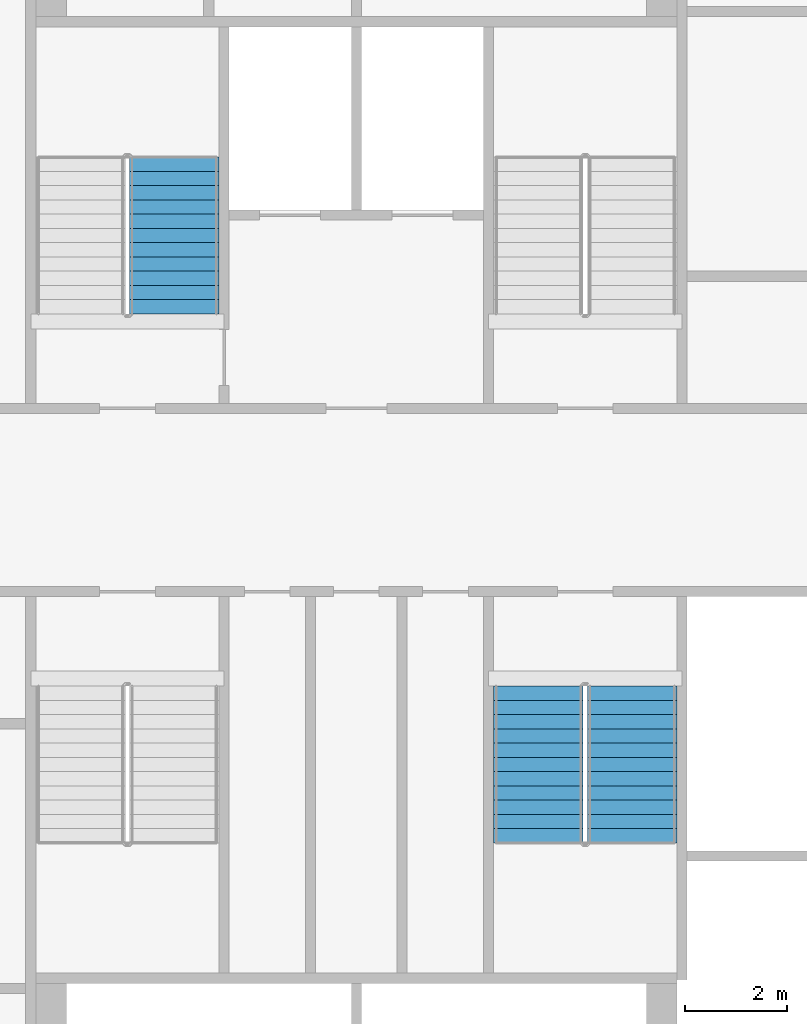
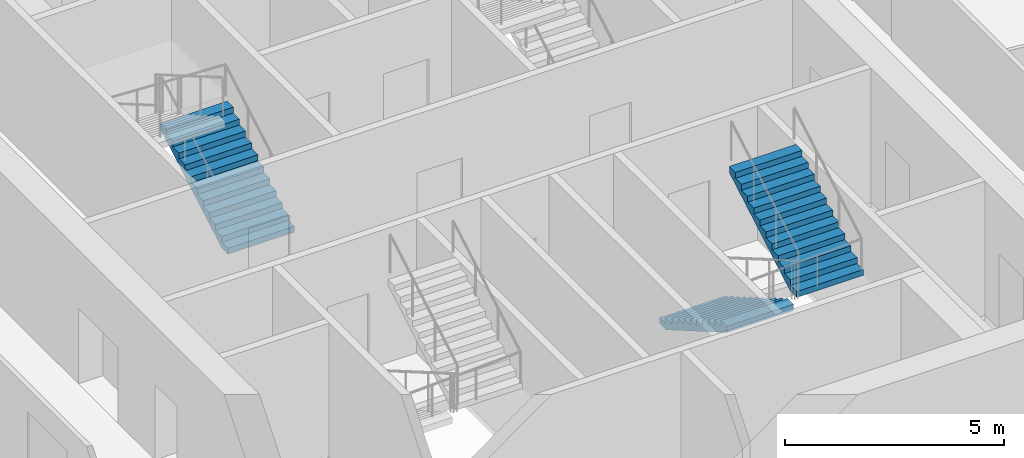
# One storey, part 18 of 24: 3 stair flights, 2 elements without a shape of their own.
"""IFC4 building model written with IfcOpenShell, lengths in metres."""

from ifc_helpers import new_model, si_unit, direction, frame, origin, place, context, subcontext, project, spatial, faceted_brep, material, type_object, element, aggregate, save


model = new_model("IFC4")

# Units and contexts
model_context = context("Model", 3, precision=1e-05, world=origin(), true_north=direction((0.0, 1.0)))
body_context = subcontext(model_context, "Body", "Model", "MODEL_VIEW")
ifc_project = project(units=[si_unit("LENGTHUNIT", "METRE"), si_unit("AREAUNIT", "SQUARE_METRE"), si_unit("VOLUMEUNIT", "CUBIC_METRE"), si_unit("PLANEANGLEUNIT", "RADIAN"), si_unit("MASSUNIT", "GRAM", prefix="KILO")], contexts=[model_context])

# Site, building, storey
site_placement = place(None, origin())
site = spatial("IfcSite", under=ifc_project, at=site_placement, CompositionType="ELEMENT")
building_placement = place(site_placement, origin())
building = spatial("IfcBuilding", under=site, at=building_placement, Name="Tarsis Ring Headquarters", CompositionType="ELEMENT")
storey_placement = place(building_placement, frame((0.0, 0.0, 163.199951171875)))
storey = spatial("IfcBuildingStorey", under=building, at=storey_placement, Name="L37", CompositionType="ELEMENT", Elevation=163.199951171875)

# Stair, stair flight
ifc_material_1 = material(Name="Core stair 1760")
stair_type = type_object("IfcStairType", Name="Core stair 1760", PredefinedType="HALF_TURN_STAIR", material=ifc_material_1)
stair_1_placement = place(storey_placement, origin())
stair_1 = element("IfcStair", 1, at=stair_1_placement, inside=storey, type_object=stair_type, Name="L37 Firefighting stair", PredefinedType="HALF_TURN_STAIR")
ifc_material_2 = material(Name="Concrete C40/50", Category="concrete")
stair_flight_type = type_object("IfcStairFlightType", Name="Core stair flight 1760", PredefinedType="STRAIGHT", material=ifc_material_2)
stair_flight_1_placement = place(storey_placement, frame((-3.580078125, 3.659912109375, 0.0), z_axis=(0.0, 0.0, 1.0), x_axis=(0.0, 1.0, 0.0)))
stair_flight_1 = element("IfcStairFlight", 2, at=stair_flight_1_placement, type_object=stair_flight_type, Name="Stair ST1 flight 1", NumberOfRisers=12, NumberOfTreads=11, PredefinedType="STRAIGHT", RiserHeight=0.1625, TreadLength=0.28, context=body_context, shape_type="Brep", body=[
    faceted_brep([(0.0, 0.8798828125, 0.0), (0.0, 0.8798828125, 0.16259765625), (0.280029296875, 0.8798828125, 0.16259765625), (0.280029296875, 0.8798828125, 0.324951171875), (0.56005859375, 0.8798828125, 0.324951171875), (0.56005859375, 0.8798828125, 0.487548828125), (0.840087890625, 0.8798828125, 0.487548828125), (0.840087890625, 0.8798828125, 0.64990234375), (1.1201171875, 0.8798828125, 0.64990234375), (1.1201171875, 0.8798828125, 0.8125), (1.39990234375, 0.8798828125, 0.8125), (1.39990234375, 0.8798828125, 0.97509765625), (1.679931640625, 0.8798828125, 0.97509765625), (1.679931640625, 0.8798828125, 1.137451171875), (1.9599609375, 0.8798828125, 1.137451171875), (1.9599609375, 0.8798828125, 1.300048828125), (2.239990234375, 0.8798828125, 1.300048828125), (2.239990234375, 0.8798828125, 1.46240234375), (2.52001953125, 0.8798828125, 1.46240234375), (2.52001953125, 0.8798828125, 1.625), (2.800048828125, 0.8798828125, 1.625), (2.800048828125, 0.8798828125, 1.78759765625), (3.080078125, 0.8798828125, 1.78759765625), (3.080078125, 0.8798828125, 1.6142578125), (0.298583984375, 0.8798828125, 0.0), (0.298583984375, -0.8798828125, 0.0), (3.080078125, -0.8798828125, 1.6142578125), (3.080078125, -0.8798828125, 1.78759765625), (2.800048828125, -0.8798828125, 1.78759765625), (2.800048828125, -0.8798828125, 1.625), (2.52001953125, -0.8798828125, 1.625), (2.52001953125, -0.8798828125, 1.46240234375), (2.239990234375, -0.8798828125, 1.46240234375), (2.239990234375, -0.8798828125, 1.300048828125), (1.9599609375, -0.8798828125, 1.300048828125), (1.9599609375, -0.8798828125, 1.137451171875), (1.679931640625, -0.8798828125, 1.137451171875), (1.679931640625, -0.8798828125, 0.97509765625), (1.39990234375, -0.8798828125, 0.97509765625), (1.39990234375, -0.8798828125, 0.8125), (1.1201171875, -0.8798828125, 0.8125), (1.1201171875, -0.8798828125, 0.64990234375), (0.840087890625, -0.8798828125, 0.64990234375), (0.840087890625, -0.8798828125, 0.487548828125), (0.56005859375, -0.8798828125, 0.487548828125), (0.56005859375, -0.8798828125, 0.324951171875), (0.280029296875, -0.8798828125, 0.324951171875), (0.280029296875, -0.8798828125, 0.16259765625), (0.0, -0.8798828125, 0.16259765625), (0.0, -0.8798828125, 0.0), (0.0, -0.43994140625, 0.16259765625), (0.0, -0.43994140625, 0.0), (0.0, 0.0, 0.16259765625), (0.0, 0.0, 0.0), (0.0, 0.43994140625, 0.16259765625), (0.0, 0.43994140625, 0.0), (0.280029296875, -0.43994140625, 0.16259765625), (0.280029296875, 0.0, 0.16259765625), (0.280029296875, 0.43994140625, 0.16259765625), (0.280029296875, -0.43994140625, 0.324951171875), (0.280029296875, 0.0, 0.324951171875), (0.280029296875, 0.43994140625, 0.324951171875), (0.56005859375, -0.43994140625, 0.324951171875), (0.56005859375, 0.0, 0.324951171875), (0.56005859375, 0.43994140625, 0.324951171875), (0.56005859375, -0.43994140625, 0.487548828125), (0.56005859375, 0.0, 0.487548828125), (0.56005859375, 0.43994140625, 0.487548828125), (0.840087890625, -0.43994140625, 0.487548828125), (0.840087890625, 0.0, 0.487548828125), (0.840087890625, 0.43994140625, 0.487548828125), (0.840087890625, -0.43994140625, 0.64990234375), (0.840087890625, 0.0, 0.64990234375), (0.840087890625, 0.43994140625, 0.64990234375), (1.1201171875, -0.43994140625, 0.64990234375), (1.1201171875, 0.0, 0.64990234375), (1.1201171875, 0.43994140625, 0.64990234375), (1.1201171875, -0.43994140625, 0.8125), (1.1201171875, 0.0, 0.8125), (1.1201171875, 0.43994140625, 0.8125), (1.39990234375, -0.43994140625, 0.8125), (1.39990234375, 0.0, 0.8125), (1.39990234375, 0.43994140625, 0.8125), (1.39990234375, -0.43994140625, 0.97509765625), (1.39990234375, 0.0, 0.97509765625), (1.39990234375, 0.43994140625, 0.97509765625), (1.679931640625, -0.43994140625, 0.97509765625), (1.679931640625, 0.0, 0.97509765625), (1.679931640625, 0.43994140625, 0.97509765625), (1.679931640625, -0.43994140625, 1.137451171875), (1.679931640625, 0.0, 1.137451171875), (1.679931640625, 0.43994140625, 1.137451171875), (1.9599609375, -0.43994140625, 1.137451171875), (1.9599609375, 0.0, 1.137451171875), (1.9599609375, 0.43994140625, 1.137451171875), (1.9599609375, -0.43994140625, 1.300048828125), (1.9599609375, 0.0, 1.300048828125), (1.9599609375, 0.43994140625, 1.300048828125), (2.239990234375, -0.43994140625, 1.300048828125), (2.239990234375, 0.0, 1.300048828125), (2.239990234375, 0.43994140625, 1.300048828125), (2.239990234375, -0.43994140625, 1.46240234375), (2.239990234375, 0.0, 1.46240234375), (2.239990234375, 0.43994140625, 1.46240234375), (2.52001953125, -0.43994140625, 1.46240234375), (2.52001953125, 0.0, 1.46240234375), (2.52001953125, 0.43994140625, 1.46240234375), (2.52001953125, -0.43994140625, 1.625), (2.52001953125, 0.0, 1.625), (2.52001953125, 0.43994140625, 1.625), (2.800048828125, -0.43994140625, 1.625), (2.800048828125, 0.0, 1.625), (2.800048828125, 0.43994140625, 1.625), (2.800048828125, -0.43994140625, 1.78759765625), (2.800048828125, 0.0, 1.78759765625), (2.800048828125, 0.43994140625, 1.78759765625), (3.080078125, -0.43994140625, 1.78759765625), (3.080078125, 0.0, 1.78759765625), (3.080078125, 0.43994140625, 1.78759765625), (3.080078125, -0.43994140625, 1.6142578125), (3.080078125, 0.0, 1.6142578125), (3.080078125, 0.43994140625, 1.6142578125), (0.298583984375, -0.43994140625, 0.0), (0.298583984375, 0.0, 0.0), (0.298583984375, 0.43994140625, 0.0)], [[[0, 1, 2, 3, 4, 5, 6, 7, 8, 9, 10, 11, 12, 13, 14, 15, 16, 17, 18, 19, 20, 21, 22, 23, 24]], [[25, 26, 27, 28, 29, 30, 31, 32, 33, 34, 35, 36, 37, 38, 39, 40, 41, 42, 43, 44, 45, 46, 47, 48, 49]], [[49, 48, 50, 51]], [[51, 50, 52, 53]], [[53, 52, 54, 55]], [[55, 54, 1, 0]], [[48, 47, 56, 50]], [[50, 56, 57, 52]], [[52, 57, 58, 54]], [[54, 58, 2, 1]], [[47, 46, 59, 56]], [[56, 59, 60, 57]], [[57, 60, 61, 58]], [[58, 61, 3, 2]], [[46, 45, 62, 59]], [[59, 62, 63, 60]], [[60, 63, 64, 61]], [[61, 64, 4, 3]], [[45, 44, 65, 62]], [[62, 65, 66, 63]], [[63, 66, 67, 64]], [[64, 67, 5, 4]], [[44, 43, 68, 65]], [[65, 68, 69, 66]], [[66, 69, 70, 67]], [[67, 70, 6, 5]], [[43, 42, 71, 68]], [[68, 71, 72, 69]], [[69, 72, 73, 70]], [[70, 73, 7, 6]], [[42, 41, 74, 71]], [[71, 74, 75, 72]], [[72, 75, 76, 73]], [[73, 76, 8, 7]], [[41, 40, 77, 74]], [[74, 77, 78, 75]], [[75, 78, 79, 76]], [[76, 79, 9, 8]], [[40, 39, 80, 77]], [[77, 80, 81, 78]], [[78, 81, 82, 79]], [[79, 82, 10, 9]], [[39, 38, 83, 80]], [[80, 83, 84, 81]], [[81, 84, 85, 82]], [[82, 85, 11, 10]], [[38, 37, 86, 83]], [[83, 86, 87, 84]], [[84, 87, 88, 85]], [[85, 88, 12, 11]], [[37, 36, 89, 86]], [[86, 89, 90, 87]], [[87, 90, 91, 88]], [[88, 91, 13, 12]], [[36, 35, 92, 89]], [[89, 92, 93, 90]], [[90, 93, 94, 91]], [[91, 94, 14, 13]], [[35, 34, 95, 92]], [[92, 95, 96, 93]], [[93, 96, 97, 94]], [[94, 97, 15, 14]], [[34, 33, 98, 95]], [[95, 98, 99, 96]], [[96, 99, 100, 97]], [[97, 100, 16, 15]], [[33, 32, 101, 98]], [[98, 101, 102, 99]], [[99, 102, 103, 100]], [[100, 103, 17, 16]], [[32, 31, 104, 101]], [[101, 104, 105, 102]], [[102, 105, 106, 103]], [[103, 106, 18, 17]], [[31, 30, 107, 104]], [[104, 107, 108, 105]], [[105, 108, 109, 106]], [[106, 109, 19, 18]], [[30, 29, 110, 107]], [[107, 110, 111, 108]], [[108, 111, 112, 109]], [[109, 112, 20, 19]], [[29, 28, 113, 110]], [[110, 113, 114, 111]], [[111, 114, 115, 112]], [[112, 115, 21, 20]], [[28, 27, 116, 113]], [[113, 116, 117, 114]], [[114, 117, 118, 115]], [[115, 118, 22, 21]], [[27, 26, 119, 116]], [[116, 119, 120, 117]], [[117, 120, 121, 118]], [[118, 121, 23, 22]], [[26, 25, 122, 119]], [[119, 122, 123, 120]], [[120, 123, 124, 121]], [[121, 124, 24, 23]], [[25, 49, 51, 122]], [[122, 51, 53, 123]], [[123, 53, 55, 124]], [[124, 55, 0, 24]]]),
])
aggregate(stair_1, [stair_flight_1])

# Stair, stair flights
stair_2_placement = place(storey_placement, origin())
stair_2 = element("IfcStair", 3, at=stair_2_placement, inside=storey, type_object=stair_type, Name="L37 Exit stair D", PredefinedType="HALF_TURN_STAIR")
stair_flight_2_placement = place(storey_placement, frame((3.580078125, -3.659912109375, 0.0), z_axis=(0.0, 0.0, 1.0), x_axis=(0.0, -1.0, 0.0)))
stair_flight_2 = element("IfcStairFlight", 4, at=stair_flight_2_placement, type_object=stair_flight_type, Name="Stair ST4 flight 1", NumberOfRisers=12, NumberOfTreads=11, PredefinedType="STRAIGHT", RiserHeight=0.1625, TreadLength=0.28, context=body_context, shape_type="Brep", body=[
    faceted_brep([(0.0, 0.8798828125, 0.0), (0.0, 0.8798828125, 0.16259765625), (0.280029296875, 0.8798828125, 0.16259765625), (0.280029296875, 0.8798828125, 0.324951171875), (0.56005859375, 0.8798828125, 0.324951171875), (0.56005859375, 0.8798828125, 0.487548828125), (0.840087890625, 0.8798828125, 0.487548828125), (0.840087890625, 0.8798828125, 0.64990234375), (1.1201171875, 0.8798828125, 0.64990234375), (1.1201171875, 0.8798828125, 0.8125), (1.39990234375, 0.8798828125, 0.8125), (1.39990234375, 0.8798828125, 0.97509765625), (1.679931640625, 0.8798828125, 0.97509765625), (1.679931640625, 0.8798828125, 1.137451171875), (1.9599609375, 0.8798828125, 1.137451171875), (1.9599609375, 0.8798828125, 1.300048828125), (2.239990234375, 0.8798828125, 1.300048828125), (2.239990234375, 0.8798828125, 1.46240234375), (2.52001953125, 0.8798828125, 1.46240234375), (2.52001953125, 0.8798828125, 1.625), (2.800048828125, 0.8798828125, 1.625), (2.800048828125, 0.8798828125, 1.78759765625), (3.080078125, 0.8798828125, 1.78759765625), (3.080078125, 0.8798828125, 1.6142578125), (0.298583984375, 0.8798828125, 0.0), (0.298583984375, -0.8798828125, 0.0), (3.080078125, -0.8798828125, 1.6142578125), (3.080078125, -0.8798828125, 1.78759765625), (2.800048828125, -0.8798828125, 1.78759765625), (2.800048828125, -0.8798828125, 1.625), (2.52001953125, -0.8798828125, 1.625), (2.52001953125, -0.8798828125, 1.46240234375), (2.239990234375, -0.8798828125, 1.46240234375), (2.239990234375, -0.8798828125, 1.300048828125), (1.9599609375, -0.8798828125, 1.300048828125), (1.9599609375, -0.8798828125, 1.137451171875), (1.679931640625, -0.8798828125, 1.137451171875), (1.679931640625, -0.8798828125, 0.97509765625), (1.39990234375, -0.8798828125, 0.97509765625), (1.39990234375, -0.8798828125, 0.8125), (1.1201171875, -0.8798828125, 0.8125), (1.1201171875, -0.8798828125, 0.64990234375), (0.840087890625, -0.8798828125, 0.64990234375), (0.840087890625, -0.8798828125, 0.487548828125), (0.56005859375, -0.8798828125, 0.487548828125), (0.56005859375, -0.8798828125, 0.324951171875), (0.280029296875, -0.8798828125, 0.324951171875), (0.280029296875, -0.8798828125, 0.16259765625), (0.0, -0.8798828125, 0.16259765625), (0.0, -0.8798828125, 0.0), (0.0, -0.43994140625, 0.16259765625), (0.0, -0.43994140625, 0.0), (0.0, 0.0, 0.16259765625), (0.0, 0.0, 0.0), (0.0, 0.43994140625, 0.16259765625), (0.0, 0.43994140625, 0.0), (0.280029296875, -0.43994140625, 0.16259765625), (0.280029296875, 0.0, 0.16259765625), (0.280029296875, 0.43994140625, 0.16259765625), (0.280029296875, -0.43994140625, 0.324951171875), (0.280029296875, 0.0, 0.324951171875), (0.280029296875, 0.43994140625, 0.324951171875), (0.56005859375, -0.43994140625, 0.324951171875), (0.56005859375, 0.0, 0.324951171875), (0.56005859375, 0.43994140625, 0.324951171875), (0.56005859375, -0.43994140625, 0.487548828125), (0.56005859375, 0.0, 0.487548828125), (0.56005859375, 0.43994140625, 0.487548828125), (0.840087890625, -0.43994140625, 0.487548828125), (0.840087890625, 0.0, 0.487548828125), (0.840087890625, 0.43994140625, 0.487548828125), (0.840087890625, -0.43994140625, 0.64990234375), (0.840087890625, 0.0, 0.64990234375), (0.840087890625, 0.43994140625, 0.64990234375), (1.1201171875, -0.43994140625, 0.64990234375), (1.1201171875, 0.0, 0.64990234375), (1.1201171875, 0.43994140625, 0.64990234375), (1.1201171875, -0.43994140625, 0.8125), (1.1201171875, 0.0, 0.8125), (1.1201171875, 0.43994140625, 0.8125), (1.39990234375, -0.43994140625, 0.8125), (1.39990234375, 0.0, 0.8125), (1.39990234375, 0.43994140625, 0.8125), (1.39990234375, -0.43994140625, 0.97509765625), (1.39990234375, 0.0, 0.97509765625), (1.39990234375, 0.43994140625, 0.97509765625), (1.679931640625, -0.43994140625, 0.97509765625), (1.679931640625, 0.0, 0.97509765625), (1.679931640625, 0.43994140625, 0.97509765625), (1.679931640625, -0.43994140625, 1.137451171875), (1.679931640625, 0.0, 1.137451171875), (1.679931640625, 0.43994140625, 1.137451171875), (1.9599609375, -0.43994140625, 1.137451171875), (1.9599609375, 0.0, 1.137451171875), (1.9599609375, 0.43994140625, 1.137451171875), (1.9599609375, -0.43994140625, 1.300048828125), (1.9599609375, 0.0, 1.300048828125), (1.9599609375, 0.43994140625, 1.300048828125), (2.239990234375, -0.43994140625, 1.300048828125), (2.239990234375, 0.0, 1.300048828125), (2.239990234375, 0.43994140625, 1.300048828125), (2.239990234375, -0.43994140625, 1.46240234375), (2.239990234375, 0.0, 1.46240234375), (2.239990234375, 0.43994140625, 1.46240234375), (2.52001953125, -0.43994140625, 1.46240234375), (2.52001953125, 0.0, 1.46240234375), (2.52001953125, 0.43994140625, 1.46240234375), (2.52001953125, -0.43994140625, 1.625), (2.52001953125, 0.0, 1.625), (2.52001953125, 0.43994140625, 1.625), (2.800048828125, -0.43994140625, 1.625), (2.800048828125, 0.0, 1.625), (2.800048828125, 0.43994140625, 1.625), (2.800048828125, -0.43994140625, 1.78759765625), (2.800048828125, 0.0, 1.78759765625), (2.800048828125, 0.43994140625, 1.78759765625), (3.080078125, -0.43994140625, 1.78759765625), (3.080078125, 0.0, 1.78759765625), (3.080078125, 0.43994140625, 1.78759765625), (3.080078125, -0.43994140625, 1.6142578125), (3.080078125, 0.0, 1.6142578125), (3.080078125, 0.43994140625, 1.6142578125), (0.298583984375, -0.43994140625, 0.0), (0.298583984375, 0.0, 0.0), (0.298583984375, 0.43994140625, 0.0)], [[[0, 1, 2, 3, 4, 5, 6, 7, 8, 9, 10, 11, 12, 13, 14, 15, 16, 17, 18, 19, 20, 21, 22, 23, 24]], [[25, 26, 27, 28, 29, 30, 31, 32, 33, 34, 35, 36, 37, 38, 39, 40, 41, 42, 43, 44, 45, 46, 47, 48, 49]], [[49, 48, 50, 51]], [[51, 50, 52, 53]], [[53, 52, 54, 55]], [[55, 54, 1, 0]], [[48, 47, 56, 50]], [[50, 56, 57, 52]], [[52, 57, 58, 54]], [[54, 58, 2, 1]], [[47, 46, 59, 56]], [[56, 59, 60, 57]], [[57, 60, 61, 58]], [[58, 61, 3, 2]], [[46, 45, 62, 59]], [[59, 62, 63, 60]], [[60, 63, 64, 61]], [[61, 64, 4, 3]], [[45, 44, 65, 62]], [[62, 65, 66, 63]], [[63, 66, 67, 64]], [[64, 67, 5, 4]], [[44, 43, 68, 65]], [[65, 68, 69, 66]], [[66, 69, 70, 67]], [[67, 70, 6, 5]], [[43, 42, 71, 68]], [[68, 71, 72, 69]], [[69, 72, 73, 70]], [[70, 73, 7, 6]], [[42, 41, 74, 71]], [[71, 74, 75, 72]], [[72, 75, 76, 73]], [[73, 76, 8, 7]], [[41, 40, 77, 74]], [[74, 77, 78, 75]], [[75, 78, 79, 76]], [[76, 79, 9, 8]], [[40, 39, 80, 77]], [[77, 80, 81, 78]], [[78, 81, 82, 79]], [[79, 82, 10, 9]], [[39, 38, 83, 80]], [[80, 83, 84, 81]], [[81, 84, 85, 82]], [[82, 85, 11, 10]], [[38, 37, 86, 83]], [[83, 86, 87, 84]], [[84, 87, 88, 85]], [[85, 88, 12, 11]], [[37, 36, 89, 86]], [[86, 89, 90, 87]], [[87, 90, 91, 88]], [[88, 91, 13, 12]], [[36, 35, 92, 89]], [[89, 92, 93, 90]], [[90, 93, 94, 91]], [[91, 94, 14, 13]], [[35, 34, 95, 92]], [[92, 95, 96, 93]], [[93, 96, 97, 94]], [[94, 97, 15, 14]], [[34, 33, 98, 95]], [[95, 98, 99, 96]], [[96, 99, 100, 97]], [[97, 100, 16, 15]], [[33, 32, 101, 98]], [[98, 101, 102, 99]], [[99, 102, 103, 100]], [[100, 103, 17, 16]], [[32, 31, 104, 101]], [[101, 104, 105, 102]], [[102, 105, 106, 103]], [[103, 106, 18, 17]], [[31, 30, 107, 104]], [[104, 107, 108, 105]], [[105, 108, 109, 106]], [[106, 109, 19, 18]], [[30, 29, 110, 107]], [[107, 110, 111, 108]], [[108, 111, 112, 109]], [[109, 112, 20, 19]], [[29, 28, 113, 110]], [[110, 113, 114, 111]], [[111, 114, 115, 112]], [[112, 115, 21, 20]], [[28, 27, 116, 113]], [[113, 116, 117, 114]], [[114, 117, 118, 115]], [[115, 118, 22, 21]], [[27, 26, 119, 116]], [[116, 119, 120, 117]], [[117, 120, 121, 118]], [[118, 121, 23, 22]], [[26, 25, 122, 119]], [[119, 122, 123, 120]], [[120, 123, 124, 121]], [[121, 124, 24, 23]], [[25, 49, 51, 122]], [[122, 51, 53, 123]], [[123, 53, 55, 124]], [[124, 55, 0, 24]]]),
])
stair_flight_3_placement = place(storey_placement, frame((5.419921875, -6.739990234375, 1.949951171875), z_axis=(0.0, 0.0, 1.0), x_axis=(0.0, 1.0, 0.0)))
stair_flight_3 = element("IfcStairFlight", 5, at=stair_flight_3_placement, type_object=stair_flight_type, Name="Stair ST4 flight 2", NumberOfRisers=12, NumberOfTreads=11, PredefinedType="STRAIGHT", RiserHeight=0.1625, TreadLength=0.28, context=body_context, shape_type="Brep", body=[
    faceted_brep([(0.0, 0.8798828125, 0.0), (0.0, 0.8798828125, 0.16259765625), (0.280029296875, 0.8798828125, 0.16259765625), (0.280029296875, 0.8798828125, 0.324951171875), (0.56005859375, 0.8798828125, 0.324951171875), (0.56005859375, 0.8798828125, 0.487548828125), (0.840087890625, 0.8798828125, 0.487548828125), (0.840087890625, 0.8798828125, 0.64990234375), (1.1201171875, 0.8798828125, 0.64990234375), (1.1201171875, 0.8798828125, 0.8125), (1.39990234375, 0.8798828125, 0.8125), (1.39990234375, 0.8798828125, 0.97509765625), (1.679931640625, 0.8798828125, 0.97509765625), (1.679931640625, 0.8798828125, 1.137451171875), (1.9599609375, 0.8798828125, 1.137451171875), (1.9599609375, 0.8798828125, 1.300048828125), (2.239990234375, 0.8798828125, 1.300048828125), (2.239990234375, 0.8798828125, 1.46240234375), (2.52001953125, 0.8798828125, 1.46240234375), (2.52001953125, 0.8798828125, 1.625), (2.800048828125, 0.8798828125, 1.625), (2.800048828125, 0.8798828125, 1.78759765625), (3.080078125, 0.8798828125, 1.78759765625), (3.080078125, 0.8798828125, 1.6142578125), (0.298583984375, 0.8798828125, 0.0), (0.298583984375, -0.8798828125, 0.0), (3.080078125, -0.8798828125, 1.6142578125), (3.080078125, -0.8798828125, 1.78759765625), (2.800048828125, -0.8798828125, 1.78759765625), (2.800048828125, -0.8798828125, 1.625), (2.52001953125, -0.8798828125, 1.625), (2.52001953125, -0.8798828125, 1.46240234375), (2.239990234375, -0.8798828125, 1.46240234375), (2.239990234375, -0.8798828125, 1.300048828125), (1.9599609375, -0.8798828125, 1.300048828125), (1.9599609375, -0.8798828125, 1.137451171875), (1.679931640625, -0.8798828125, 1.137451171875), (1.679931640625, -0.8798828125, 0.97509765625), (1.39990234375, -0.8798828125, 0.97509765625), (1.39990234375, -0.8798828125, 0.8125), (1.1201171875, -0.8798828125, 0.8125), (1.1201171875, -0.8798828125, 0.64990234375), (0.840087890625, -0.8798828125, 0.64990234375), (0.840087890625, -0.8798828125, 0.487548828125), (0.56005859375, -0.8798828125, 0.487548828125), (0.56005859375, -0.8798828125, 0.324951171875), (0.280029296875, -0.8798828125, 0.324951171875), (0.280029296875, -0.8798828125, 0.16259765625), (0.0, -0.8798828125, 0.16259765625), (0.0, -0.8798828125, 0.0), (0.0, -0.43994140625, 0.16259765625), (0.0, -0.43994140625, 0.0), (0.0, 0.0, 0.16259765625), (0.0, 0.0, 0.0), (0.0, 0.43994140625, 0.16259765625), (0.0, 0.43994140625, 0.0), (0.280029296875, -0.43994140625, 0.16259765625), (0.280029296875, 0.0, 0.16259765625), (0.280029296875, 0.43994140625, 0.16259765625), (0.280029296875, -0.43994140625, 0.324951171875), (0.280029296875, 0.0, 0.324951171875), (0.280029296875, 0.43994140625, 0.324951171875), (0.56005859375, -0.43994140625, 0.324951171875), (0.56005859375, 0.0, 0.324951171875), (0.56005859375, 0.43994140625, 0.324951171875), (0.56005859375, -0.43994140625, 0.487548828125), (0.56005859375, 0.0, 0.487548828125), (0.56005859375, 0.43994140625, 0.487548828125), (0.840087890625, -0.43994140625, 0.487548828125), (0.840087890625, 0.0, 0.487548828125), (0.840087890625, 0.43994140625, 0.487548828125), (0.840087890625, -0.43994140625, 0.64990234375), (0.840087890625, 0.0, 0.64990234375), (0.840087890625, 0.43994140625, 0.64990234375), (1.1201171875, -0.43994140625, 0.64990234375), (1.1201171875, 0.0, 0.64990234375), (1.1201171875, 0.43994140625, 0.64990234375), (1.1201171875, -0.43994140625, 0.8125), (1.1201171875, 0.0, 0.8125), (1.1201171875, 0.43994140625, 0.8125), (1.39990234375, -0.43994140625, 0.8125), (1.39990234375, 0.0, 0.8125), (1.39990234375, 0.43994140625, 0.8125), (1.39990234375, -0.43994140625, 0.97509765625), (1.39990234375, 0.0, 0.97509765625), (1.39990234375, 0.43994140625, 0.97509765625), (1.679931640625, -0.43994140625, 0.97509765625), (1.679931640625, 0.0, 0.97509765625), (1.679931640625, 0.43994140625, 0.97509765625), (1.679931640625, -0.43994140625, 1.137451171875), (1.679931640625, 0.0, 1.137451171875), (1.679931640625, 0.43994140625, 1.137451171875), (1.9599609375, -0.43994140625, 1.137451171875), (1.9599609375, 0.0, 1.137451171875), (1.9599609375, 0.43994140625, 1.137451171875), (1.9599609375, -0.43994140625, 1.300048828125), (1.9599609375, 0.0, 1.300048828125), (1.9599609375, 0.43994140625, 1.300048828125), (2.239990234375, -0.43994140625, 1.300048828125), (2.239990234375, 0.0, 1.300048828125), (2.239990234375, 0.43994140625, 1.300048828125), (2.239990234375, -0.43994140625, 1.46240234375), (2.239990234375, 0.0, 1.46240234375), (2.239990234375, 0.43994140625, 1.46240234375), (2.52001953125, -0.43994140625, 1.46240234375), (2.52001953125, 0.0, 1.46240234375), (2.52001953125, 0.43994140625, 1.46240234375), (2.52001953125, -0.43994140625, 1.625), (2.52001953125, 0.0, 1.625), (2.52001953125, 0.43994140625, 1.625), (2.800048828125, -0.43994140625, 1.625), (2.800048828125, 0.0, 1.625), (2.800048828125, 0.43994140625, 1.625), (2.800048828125, -0.43994140625, 1.78759765625), (2.800048828125, 0.0, 1.78759765625), (2.800048828125, 0.43994140625, 1.78759765625), (3.080078125, -0.43994140625, 1.78759765625), (3.080078125, 0.0, 1.78759765625), (3.080078125, 0.43994140625, 1.78759765625), (3.080078125, -0.43994140625, 1.6142578125), (3.080078125, 0.0, 1.6142578125), (3.080078125, 0.43994140625, 1.6142578125), (0.298583984375, -0.43994140625, 0.0), (0.298583984375, 0.0, 0.0), (0.298583984375, 0.43994140625, 0.0)], [[[0, 1, 2, 3, 4, 5, 6, 7, 8, 9, 10, 11, 12, 13, 14, 15, 16, 17, 18, 19, 20, 21, 22, 23, 24]], [[25, 26, 27, 28, 29, 30, 31, 32, 33, 34, 35, 36, 37, 38, 39, 40, 41, 42, 43, 44, 45, 46, 47, 48, 49]], [[49, 48, 50, 51]], [[51, 50, 52, 53]], [[53, 52, 54, 55]], [[55, 54, 1, 0]], [[48, 47, 56, 50]], [[50, 56, 57, 52]], [[52, 57, 58, 54]], [[54, 58, 2, 1]], [[47, 46, 59, 56]], [[56, 59, 60, 57]], [[57, 60, 61, 58]], [[58, 61, 3, 2]], [[46, 45, 62, 59]], [[59, 62, 63, 60]], [[60, 63, 64, 61]], [[61, 64, 4, 3]], [[45, 44, 65, 62]], [[62, 65, 66, 63]], [[63, 66, 67, 64]], [[64, 67, 5, 4]], [[44, 43, 68, 65]], [[65, 68, 69, 66]], [[66, 69, 70, 67]], [[67, 70, 6, 5]], [[43, 42, 71, 68]], [[68, 71, 72, 69]], [[69, 72, 73, 70]], [[70, 73, 7, 6]], [[42, 41, 74, 71]], [[71, 74, 75, 72]], [[72, 75, 76, 73]], [[73, 76, 8, 7]], [[41, 40, 77, 74]], [[74, 77, 78, 75]], [[75, 78, 79, 76]], [[76, 79, 9, 8]], [[40, 39, 80, 77]], [[77, 80, 81, 78]], [[78, 81, 82, 79]], [[79, 82, 10, 9]], [[39, 38, 83, 80]], [[80, 83, 84, 81]], [[81, 84, 85, 82]], [[82, 85, 11, 10]], [[38, 37, 86, 83]], [[83, 86, 87, 84]], [[84, 87, 88, 85]], [[85, 88, 12, 11]], [[37, 36, 89, 86]], [[86, 89, 90, 87]], [[87, 90, 91, 88]], [[88, 91, 13, 12]], [[36, 35, 92, 89]], [[89, 92, 93, 90]], [[90, 93, 94, 91]], [[91, 94, 14, 13]], [[35, 34, 95, 92]], [[92, 95, 96, 93]], [[93, 96, 97, 94]], [[94, 97, 15, 14]], [[34, 33, 98, 95]], [[95, 98, 99, 96]], [[96, 99, 100, 97]], [[97, 100, 16, 15]], [[33, 32, 101, 98]], [[98, 101, 102, 99]], [[99, 102, 103, 100]], [[100, 103, 17, 16]], [[32, 31, 104, 101]], [[101, 104, 105, 102]], [[102, 105, 106, 103]], [[103, 106, 18, 17]], [[31, 30, 107, 104]], [[104, 107, 108, 105]], [[105, 108, 109, 106]], [[106, 109, 19, 18]], [[30, 29, 110, 107]], [[107, 110, 111, 108]], [[108, 111, 112, 109]], [[109, 112, 20, 19]], [[29, 28, 113, 110]], [[110, 113, 114, 111]], [[111, 114, 115, 112]], [[112, 115, 21, 20]], [[28, 27, 116, 113]], [[113, 116, 117, 114]], [[114, 117, 118, 115]], [[115, 118, 22, 21]], [[27, 26, 119, 116]], [[116, 119, 120, 117]], [[117, 120, 121, 118]], [[118, 121, 23, 22]], [[26, 25, 122, 119]], [[119, 122, 123, 120]], [[120, 123, 124, 121]], [[121, 124, 24, 23]], [[25, 49, 51, 122]], [[122, 51, 53, 123]], [[123, 53, 55, 124]], [[124, 55, 0, 24]]]),
])
aggregate(stair_2, [stair_flight_2, stair_flight_3])

save(model, "model.ifc")
